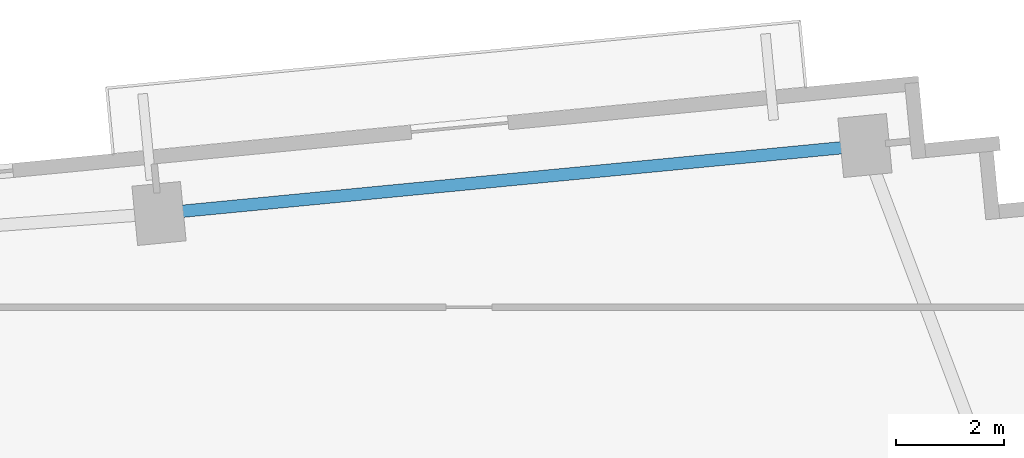
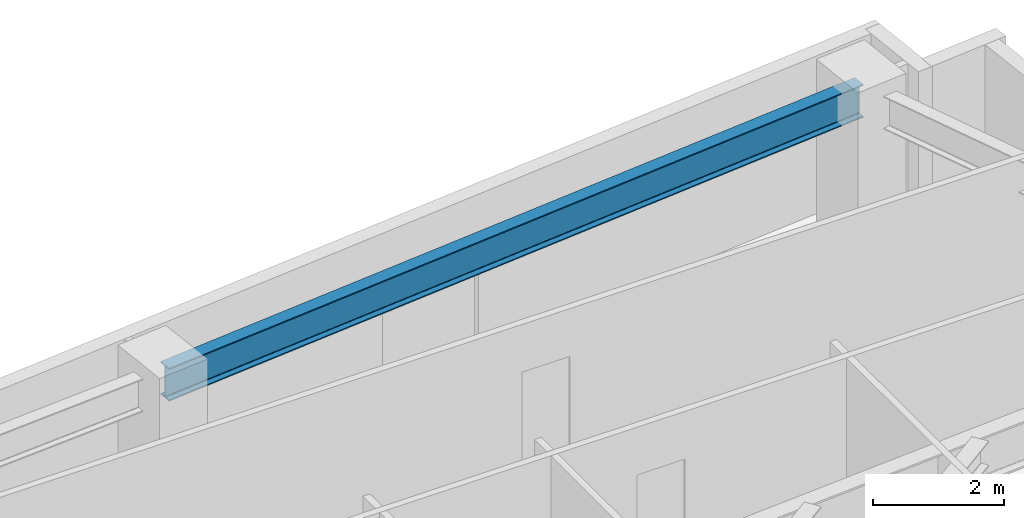
# One storey, part 16 of 25: 1 beam.
"""IFC4 building model written with IfcOpenShell, lengths in metres."""

from ifc_helpers import new_model, si_unit, direction, frame, origin, origin_2d, place, context, subcontext, project, spatial, i_section, extrude, source, transform, mapped, material, material_profile, profile_set, type_object, type_shapes, element, save


model = new_model("IFC4")

# Units and contexts
model_context = context("Model", 3, precision=1e-05, world=origin(), true_north=direction((0.0, 1.0)))
body_context = subcontext(model_context, "Body", "Model", "MODEL_VIEW")
ifc_project = project(units=[si_unit("LENGTHUNIT", "METRE"), si_unit("AREAUNIT", "SQUARE_METRE"), si_unit("VOLUMEUNIT", "CUBIC_METRE"), si_unit("PLANEANGLEUNIT", "RADIAN"), si_unit("MASSUNIT", "GRAM", prefix="KILO")], contexts=[model_context])

# Site, building, storey
site_placement = place(None, origin())
site = spatial("IfcSite", under=ifc_project, at=site_placement, CompositionType="ELEMENT")
building_placement = place(site_placement, origin())
building = spatial("IfcBuilding", under=site, at=building_placement, Name="Astriad Promenade Condominiums", CompositionType="ELEMENT")
storey_placement = place(building_placement, frame((0.0, 0.0, 106.60009765625)))
storey = spatial("IfcBuildingStorey", under=building, at=storey_placement, Name="L30", CompositionType="ELEMENT", Elevation=106.60009765625)

# Beam
ifc_material = material(Name="Steel ASTM A992 Grade 50", Category="steel")
ifc_material_profile = material_profile(ifc_material, i_section(OverallWidth=0.22900390625, OverallDepth=0.612060546875, WebThickness=0.011962890625, FlangeThickness=0.01953125, FilletRadius=0.017822265625, at=origin_2d()), Name="W24X84")
ifc_profile_set = profile_set([ifc_material_profile], Name="Steel ASTM A992 Grade 50")
beam_type = type_object("IfcBeamType", Name="STEEL SPANDREL BEAM W24X84", PredefinedType="SPANDREL", material=ifc_profile_set)
shared_shape = source(origin(), body_context, "Body", "SweptSolid", [
    extrude(i_section(OverallWidth=0.22900390625, OverallDepth=0.612060546875, WebThickness=0.011962890625, FlangeThickness=0.01953125, FilletRadius=0.017822265625, at=origin_2d()), origin(), (0.0, 0.0, 1.0), 13.020263671875),
])
type_shapes(beam_type, [shared_shape])
beam_placement = place(storey_placement, frame((64.394287109375, 27.5869140625, 2.6337890625), z_axis=(-0.995395311238, -0.095854965264, 0.0), x_axis=(0.095854965264, -0.995395311238, 0.0)))
element("IfcBeam", 1, at=beam_placement, inside=storey, type_object=beam_type, Name="Perimeter Spandrel Beam SP-N4-L30", PredefinedType="SPANDREL", context=body_context, shape_type="MappedRepresentation", body=[
    mapped(shared_shape, transform((0.0, 0.0, 0.0), scale=1.0)),
])

save(model, "model.ifc")
